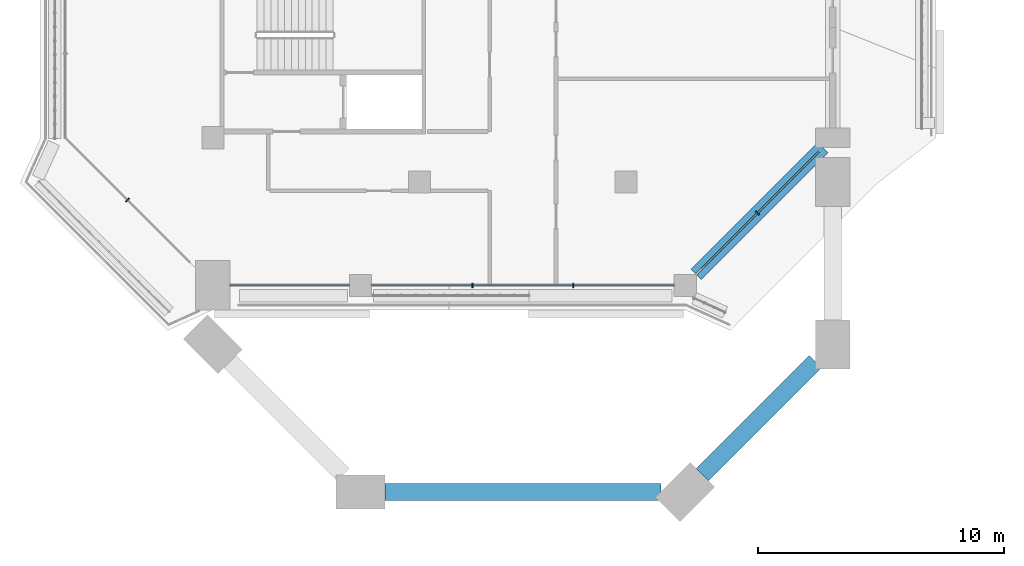
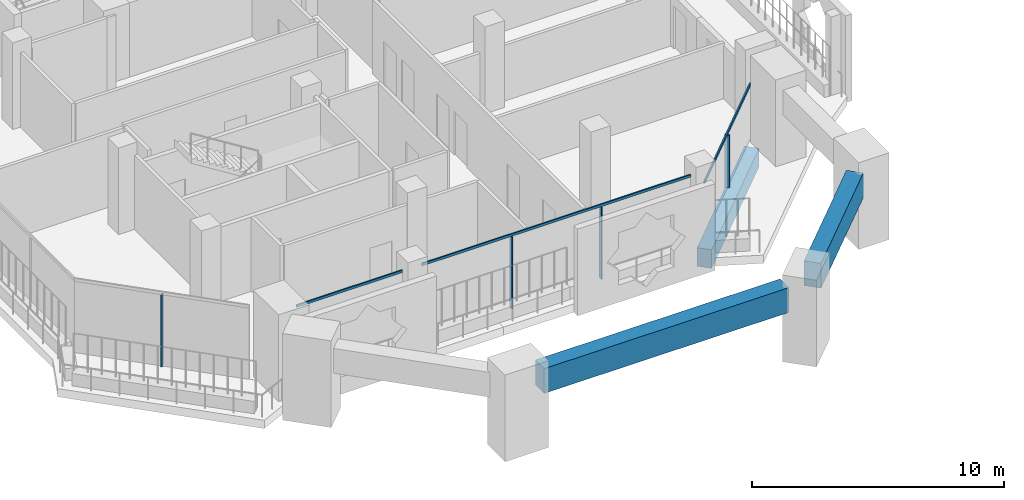
# One storey, part 2 of 23: 7 members, 3 beams, 3 elements without a shape of their own.
"""IFC4 building model written with IfcOpenShell, lengths in metres."""

from ifc_helpers import new_model, si_unit, direction, frame, origin, origin_2d, place, context, subcontext, project, spatial, rectangle, extrude, material, layer, layer_set, material_profile, profile_set, type_object, element, aggregate, save


model = new_model("IFC4")

# Units and contexts
model_context = context("Model", 3, precision=1e-05, world=origin(), true_north=direction((0.0, 1.0)))
body_context = subcontext(model_context, "Body", "Model", "MODEL_VIEW")
ifc_project = project(units=[si_unit("LENGTHUNIT", "METRE"), si_unit("AREAUNIT", "SQUARE_METRE"), si_unit("VOLUMEUNIT", "CUBIC_METRE"), si_unit("PLANEANGLEUNIT", "RADIAN"), si_unit("MASSUNIT", "GRAM", prefix="KILO")], contexts=[model_context])

# Site, building, storey
site_placement = place(None, origin())
site = spatial("IfcSite", under=ifc_project, at=site_placement, CompositionType="ELEMENT")
building_placement = place(site_placement, origin())
building = spatial("IfcBuilding", under=site, at=building_placement, Name="Kawkab Arch Medical Tower", CompositionType="ELEMENT")
storey_placement = place(building_placement, frame((0.0, 0.0, 226.39990234375)))
storey = spatial("IfcBuildingStorey", under=building, at=storey_placement, Name="L52", CompositionType="ELEMENT", Elevation=226.39990234375)

# Curtain wall, members
ifc_material_1 = material(Name="Bronze anodised aluminium curtain wall frame", Category="aluminium")
ifc_layer_1 = layer(ifc_material_1, 0.159912109375)
ifc_layer_set_1 = layer_set([ifc_layer_1], Name="Bronze anodised aluminium curtain wall frame")
curtain_wall_type_1 = type_object("IfcCurtainWallType", Name="CW1 ward curtain wall", PredefinedType="NOTDEFINED", material=ifc_layer_set_1)
placement = place(storey_placement, origin())
curtain_wall_1 = element("IfcCurtainWall", 1, at=placement, inside=storey, type_object=curtain_wall_type_1, Name="CW1 Ward curtain wall R13", PredefinedType="NOTDEFINED")
ifc_material_2 = material(Name="Bronze anodised aluminium curtain wall frame", Category="aluminium")
ifc_material_profile_1 = material_profile(ifc_material_2, rectangle(XDim=0.179931640625, YDim=0.06005859375, at=origin_2d()), Name="AL 60x180")
ifc_profile_set_1 = profile_set([ifc_material_profile_1], Name="Bronze anodised aluminium curtain wall frame")
member_type_1 = type_object("IfcMemberType", Name="CW1 mullion 60 x 180", PredefinedType="MULLION", material=ifc_profile_set_1)
member_1_placement = place(storey_placement, frame((10.550048828125, -46.199951171875, 0.0), z_axis=(0.0, 0.0, 1.0), x_axis=(0.0, 1.0, 0.0)))
member_1 = element("IfcMember", 2, at=member_1_placement, type_object=member_type_1, Name="CW1 mullion 2.1", PredefinedType="MULLION", context=body_context, shape_type="SweptSolid", body=[
    extrude(rectangle(XDim=0.179931640625, YDim=0.06005859375, at=origin_2d()), origin(), (0.0, 0.0, 1.0), 3.47998046875),
])
member_2_placement = place(storey_placement, frame((14.64990234375, -46.199951171875, 0.0), z_axis=(0.0, 0.0, 1.0), x_axis=(0.0, 1.0, 0.0)))
member_2 = element("IfcMember", 3, at=member_2_placement, type_object=member_type_1, Name="CW1 mullion 2.2", PredefinedType="MULLION", context=body_context, shape_type="SweptSolid", body=[
    extrude(rectangle(XDim=0.179931640625, YDim=0.06005859375, at=origin_2d()), origin(), (0.0, 0.0, 1.0), 3.47998046875),
])
ifc_material_3 = material(Name="Bronze anodised aluminium curtain wall frame", Category="aluminium")
ifc_material_profile_2 = material_profile(ifc_material_3, rectangle(XDim=0.06005859375, YDim=0.1201171875, at=origin_2d()), Name="AL 60x120")
ifc_profile_set_2 = profile_set([ifc_material_profile_2], Name="Bronze anodised aluminium curtain wall frame")
member_type_2 = type_object("IfcMemberType", Name="CW1 transom 120 x 60", PredefinedType="USERDEFINED", material=ifc_profile_set_2)
member_3_placement = place(storey_placement, frame((0.699951171875, -46.199951171875, 3.5400390625), z_axis=(1.0, 0.0, 0.0), x_axis=(0.0, 1.0, 0.0)))
member_3 = element("IfcMember", 4, at=member_3_placement, type_object=member_type_2, Name="CW1 transom 1", ObjectType="TRANSOM", PredefinedType="USERDEFINED", context=body_context, shape_type="SweptSolid", body=[
    extrude(rectangle(XDim=0.06005859375, YDim=0.1201171875, at=origin_2d()), origin(), (0.0, 0.0, 1.0), 4.85009765625),
])
member_4_placement = place(storey_placement, frame((6.449951171875, -46.199951171875, 3.5400390625), z_axis=(1.0, 0.0, 0.0), x_axis=(0.0, 1.0, 0.0)))
member_4 = element("IfcMember", 5, at=member_4_placement, type_object=member_type_2, Name="CW1 transom 2", ObjectType="TRANSOM", PredefinedType="USERDEFINED", context=body_context, shape_type="SweptSolid", body=[
    extrude(rectangle(XDim=0.06005859375, YDim=0.1201171875, at=origin_2d()), origin(), (0.0, 0.0, 1.0), 12.300048828125),
])
aggregate(curtain_wall_1, [member_3, member_4, member_1, member_2])

# Curtain wall, member
ifc_material_4 = material(Name="Bronze anodised aluminium curtain wall frame", Category="aluminium")
ifc_layer_2 = layer(ifc_material_4, 0.159912109375)
ifc_layer_set_2 = layer_set([ifc_layer_2], Name="Bronze anodised aluminium curtain wall frame")
curtain_wall_type_2 = type_object("IfcCurtainWallType", Name="CW2 chamfer curtain wall", PredefinedType="NOTDEFINED", material=ifc_layer_set_2)
curtain_wall_2 = element("IfcCurtainWall", 6, at=placement, inside=storey, type_object=curtain_wall_type_2, Name="CW2 Chamfer curtain wall R12", PredefinedType="NOTDEFINED")
ifc_material_5 = material(Name="Bronze anodised aluminium curtain wall frame", Category="aluminium")
ifc_material_profile_3 = material_profile(ifc_material_5, rectangle(XDim=0.199951171875, YDim=0.06005859375, at=origin_2d()), Name="AL 60x200")
ifc_profile_set_3 = profile_set([ifc_material_profile_3], Name="Bronze anodised aluminium curtain wall frame")
member_type_3 = type_object("IfcMemberType", Name="CW2 mullion 60 x 200", PredefinedType="MULLION", material=ifc_profile_set_3)
member_5_placement = place(storey_placement, frame((-3.465087890625, -42.73486328125, 0.0), z_axis=(0.0, 0.0, 1.0), x_axis=(0.707106781187, 0.707106781187, 0.0)))
member_5 = element("IfcMember", 7, at=member_5_placement, type_object=member_type_3, Name="CW2 mullion 1.1", PredefinedType="MULLION", context=body_context, shape_type="SweptSolid", body=[
    extrude(rectangle(XDim=0.199951171875, YDim=0.06005859375, at=origin_2d()), origin(), (0.0, 0.0, 1.0), 3.460205078125),
])
aggregate(curtain_wall_2, [member_5])

# Curtain wall, members
curtain_wall_3 = element("IfcCurtainWall", 8, at=placement, inside=storey, type_object=curtain_wall_type_2, Name="CW2 Chamfer curtain wall R14", PredefinedType="NOTDEFINED")
member_6_placement = place(storey_placement, frame((22.140869140625, -43.259033203125, 0.0), z_axis=(0.0, 0.0, 1.0), x_axis=(-0.707106781187, 0.707106781187, 0.0)))
member_6 = element("IfcMember", 9, at=member_6_placement, type_object=member_type_3, Name="CW2 mullion 1.1", PredefinedType="MULLION", context=body_context, shape_type="SweptSolid", body=[
    extrude(rectangle(XDim=0.199951171875, YDim=0.06005859375, at=origin_2d()), origin(), (0.0, 0.0, 1.0), 2.56005859375),
])
ifc_material_6 = material(Name="Bronze anodised aluminium curtain wall frame", Category="aluminium")
ifc_material_profile_4 = material_profile(ifc_material_6, rectangle(XDim=0.06005859375, YDim=0.139892578125, at=origin_2d()), Name="AL 60x140")
ifc_profile_set_4 = profile_set([ifc_material_profile_4], Name="Bronze anodised aluminium curtain wall frame")
member_type_4 = type_object("IfcMemberType", Name="CW2 transom 140 x 60", PredefinedType="USERDEFINED", material=ifc_profile_set_4)
member_7_placement = place(storey_placement, frame((19.64990234375, -45.75, 2.630126953125), z_axis=(0.707124107351, 0.707089454597, 0.0), x_axis=(-0.707089454597, 0.707124107351, 0.0)))
member_7 = element("IfcMember", 10, at=member_7_placement, type_object=member_type_4, Name="CW2 transom 1", ObjectType="TRANSOM", PredefinedType="USERDEFINED", context=body_context, shape_type="SweptSolid", body=[
    extrude(rectangle(XDim=0.06005859375, YDim=0.139892578125, at=origin_2d()), origin(), (0.0, 0.0, 1.0), 7.04541015625),
])
aggregate(curtain_wall_3, [member_7, member_6])

# Beams
ifc_material_7 = material(Name="Concrete C45/55", Category="concrete")
ifc_material_profile_5 = material_profile(ifc_material_7, rectangle(XDim=0.60009765625, YDim=0.89990234375, at=origin_2d()), Name="RC 600x900")
ifc_profile_set_5 = profile_set([ifc_material_profile_5], Name="Concrete C45/55")
beam_type_1 = type_object("IfcBeamType", Name="RC 600x900 beam C45/55", PredefinedType="BEAM", material=ifc_profile_set_5)
beam_1_placement = place(storey_placement, frame((24.800048828125, -40.60009765625, -1.0498046875), z_axis=(-0.707123541442, -0.707090020534, 0.0), x_axis=(0.707090020534, -0.707123541442, 0.0)))
element("IfcBeam", 11, at=beam_1_placement, inside=storey, type_object=beam_type_1, Name="Overhang edge beam L52-06", PredefinedType="BEAM", context=body_context, shape_type="SweptSolid", body=[
    extrude(rectangle(XDim=0.60009765625, YDim=0.89990234375, at=origin_2d()), origin(), (0.0, 0.0, 1.0), 7.283203125),
])
ifc_material_8 = material(Name="Concrete C45/55", Category="concrete")
ifc_material_profile_6 = material_profile(ifc_material_8, rectangle(XDim=0.699951171875, YDim=1.199951171875, at=origin_2d()), Name="RC 700x1200")
ifc_profile_set_6 = profile_set([ifc_material_profile_6], Name="Concrete C45/55")
beam_type_2 = type_object("IfcBeamType", Name="RC 700x1200 beam C45/55", PredefinedType="BEAM", material=ifc_profile_set_6)
beam_2_placement = place(storey_placement, frame((24.5, -49.300048828125, 3.0), z_axis=(-0.707125574473, -0.707087987401, 0.0), x_axis=(0.707087987401, -0.707125574473, 0.0)))
element("IfcBeam", 12, at=beam_2_placement, inside=storey, type_object=beam_type_2, Name="Terrace frame beam TF-L50-1-L53-03", PredefinedType="BEAM", context=body_context, shape_type="SweptSolid", body=[
    extrude(rectangle(XDim=0.699951171875, YDim=1.199951171875, at=origin_2d()), origin(), (0.0, 0.0, 1.0), 6.495361328125),
])
beam_3_placement = place(storey_placement, frame((18.210205078125, -54.60009765625, 3.0), z_axis=(-1.0, 0.0, 0.0), x_axis=(0.0, -1.0, 0.0)))
element("IfcBeam", 13, at=beam_3_placement, inside=storey, type_object=beam_type_2, Name="Terrace frame beam TF-L50-1-L53-04", PredefinedType="BEAM", context=body_context, shape_type="SweptSolid", body=[
    extrude(rectangle(XDim=0.699951171875, YDim=1.199951171875, at=origin_2d()), origin(), (0.0, 0.0, 1.0), 11.210205078125),
])

save(model, "model.ifc")
